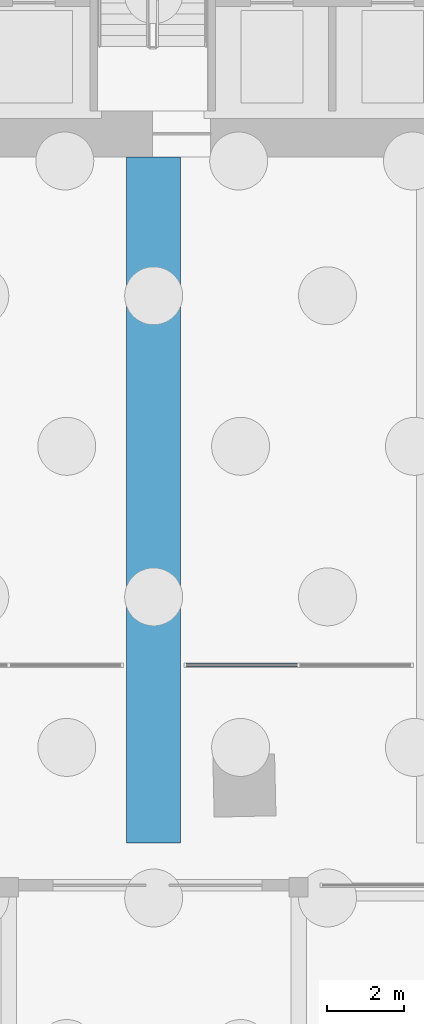
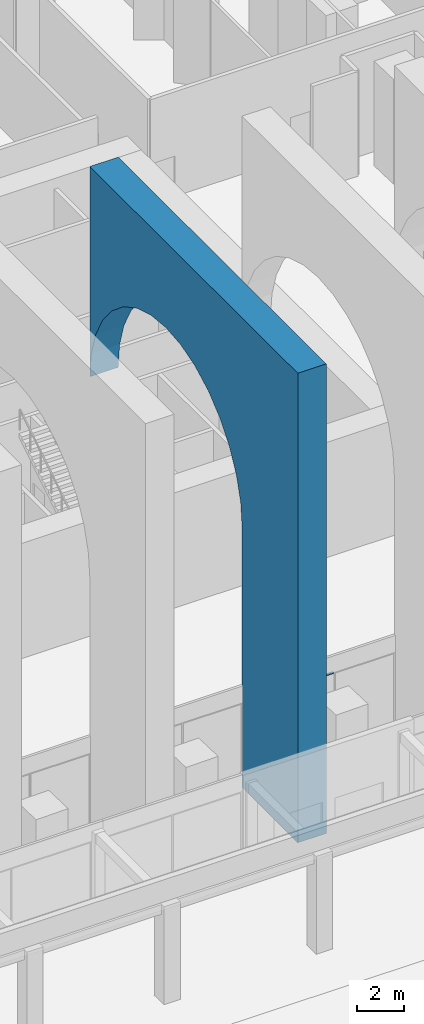
# One storey, part 15 of 46: 2 members, 1 element without a shape of its own.
"""IFC4 building model written with IfcOpenShell, lengths in metres."""

from ifc_helpers import new_model, si_unit, direction, frame, origin, origin_2d, place, context, subcontext, project, spatial, polyline, rectangle, outline, extrude, material, material_profile, profile_set, type_object, element, aggregate, save


model = new_model("IFC4")

# Units and contexts
model_context = context("Model", 3, precision=1e-05, world=origin(), true_north=direction((0.0, 1.0)))
body_context = subcontext(model_context, "Body", "Model", "MODEL_VIEW")
ifc_project = project(units=[si_unit("LENGTHUNIT", "METRE"), si_unit("AREAUNIT", "SQUARE_METRE"), si_unit("VOLUMEUNIT", "CUBIC_METRE"), si_unit("PLANEANGLEUNIT", "RADIAN"), si_unit("MASSUNIT", "GRAM", prefix="KILO")], contexts=[model_context])

# Site, building, storey
site_placement = place(None, origin())
site = spatial("IfcSite", under=ifc_project, at=site_placement, CompositionType="ELEMENT")
building_placement = place(site_placement, origin())
building = spatial("IfcBuilding", under=site, at=building_placement, Name="Mangrove Gate Tower", CompositionType="ELEMENT")
storey_placement = place(building_placement, origin())
storey = spatial("IfcBuildingStorey", under=building, at=storey_placement, Name="L00", CompositionType="ELEMENT", Elevation=0.0)

# Member
ifc_material_1 = material(Name="Concrete C60/75", Category="concrete")
ifc_material_profile_1 = material_profile(ifc_material_1, outline(polyline([(-8.875, 0.0), (-4.125, 0.0), (-4.125, 13.5), (-4.0, 14.76806640625), (-3.6298828125, 15.987060546875), (-3.030029296875, 17.111083984375), (-2.220947265625, 18.095947265625), (-1.236083984375, 18.905029296875), (-0.112060546875, 19.5048828125), (1.10693359375, 19.875), (2.375, 20.0), (3.64306640625, 19.875), (4.862060546875, 19.5048828125), (5.986083984375, 18.905029296875), (6.970947265625, 18.095947265625), (7.780029296875, 17.111083984375), (8.3798828125, 15.987060546875), (8.75, 14.76806640625), (8.875, 13.5), (8.875, 24.449951171875), (-8.875, 24.449951171875), (-8.875, 0.0)])))
ifc_profile_set_1 = profile_set([ifc_material_profile_1], Name="Concrete C60/75")
member_type_1 = type_object("IfcMemberType", Name="Arch frame ARCH FRAME 1400x17750 C60/75", PredefinedType="USERDEFINED", material=ifc_profile_set_1)
member_1_placement = place(storey_placement, frame((-0.699951171875, -20.875, 0.0), z_axis=(1.0, 0.0, 0.0), x_axis=(0.0, 1.0, 0.0)))
element("IfcMember", 1, at=member_1_placement, inside=storey, type_object=member_type_1, Name="Arch frame XP00", ObjectType="ARCH FRAME", PredefinedType="USERDEFINED", context=body_context, shape_type="SweptSolid", body=[
    extrude(outline(polyline([(-8.875, 0.0), (-4.125, 0.0), (-4.125, 13.5), (-4.0, 14.76806640625), (-3.6298828125, 15.987060546875), (-3.030029296875, 17.111083984375), (-2.220947265625, 18.095947265625), (-1.236083984375, 18.905029296875), (-0.112060546875, 19.5048828125), (1.10693359375, 19.875), (2.375, 20.0), (3.64306640625, 19.875), (4.862060546875, 19.5048828125), (5.986083984375, 18.905029296875), (6.970947265625, 18.095947265625), (7.780029296875, 17.111083984375), (8.3798828125, 15.987060546875), (8.75, 14.76806640625), (8.875, 13.5), (8.875, 24.449951171875), (-8.875, 24.449951171875), (-8.875, 0.0)])), origin(), (0.0, 0.0, 1.0), 1.39990234375),
])

# Curtain wall, member
ifc_material_2 = material(Name="Aluminium and glass curtain wall", Category="aluminium")
curtain_wall_type = type_object("IfcCurtainWallType", Name="Podium shopfront glazing wall", PredefinedType="NOTDEFINED", material=ifc_material_2)
curtain_wall_placement = place(storey_placement, origin())
curtain_wall = element("IfcCurtainWall", 2, at=curtain_wall_placement, inside=storey, type_object=curtain_wall_type, Name="Podium shopfront glazing N4014s1", PredefinedType="NOTDEFINED")
ifc_material_3 = material(Name="Aluminium alloy 6063-T6", Category="aluminium")
ifc_material_profile_2 = material_profile(ifc_material_3, rectangle(XDim=0.06005859375, YDim=0.10009765625, at=origin_2d()))
ifc_profile_set_2 = profile_set([ifc_material_profile_2], Name="Aluminium alloy 6063-T6")
member_type_2 = type_object("IfcMemberType", Name="Podium shopfront glazing transom 60x100", PredefinedType="USERDEFINED", material=ifc_profile_set_2)
member_2_placement = place(storey_placement, frame((3.719970703125, -25.14990234375, 4.5400390625), z_axis=(-1.0, 0.0, 0.0), x_axis=(0.0, 0.0, 1.0)))
member_2 = element("IfcMember", 3, at=member_2_placement, type_object=member_type_2, Name="CWS transom 2.2", ObjectType="TRANSOM", PredefinedType="USERDEFINED", context=body_context, shape_type="SweptSolid", body=[
    extrude(rectangle(XDim=0.06005859375, YDim=0.10009765625, at=origin_2d()), origin(), (0.0, 0.0, 1.0), 2.8798828125),
])
aggregate(curtain_wall, [member_2])

save(model, "model.ifc")
